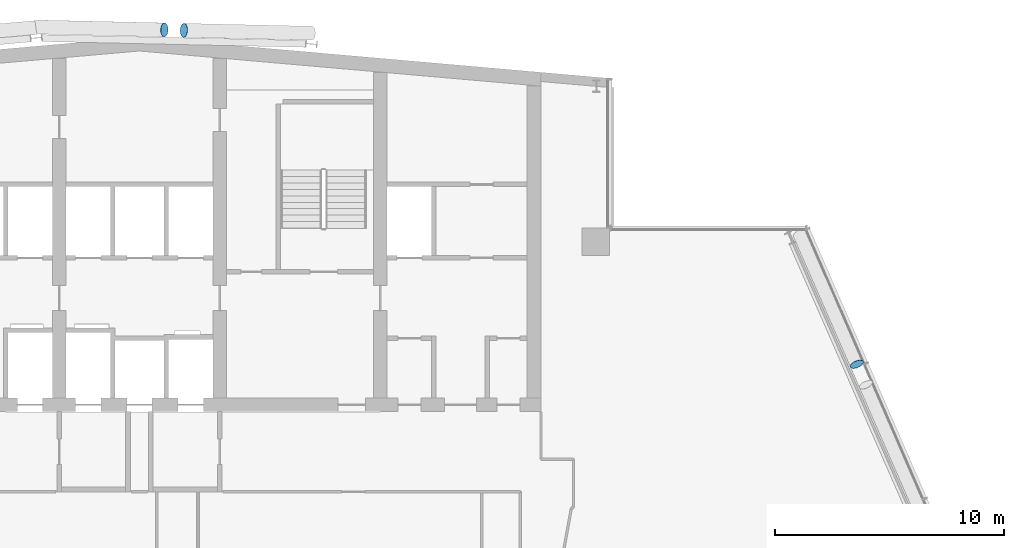
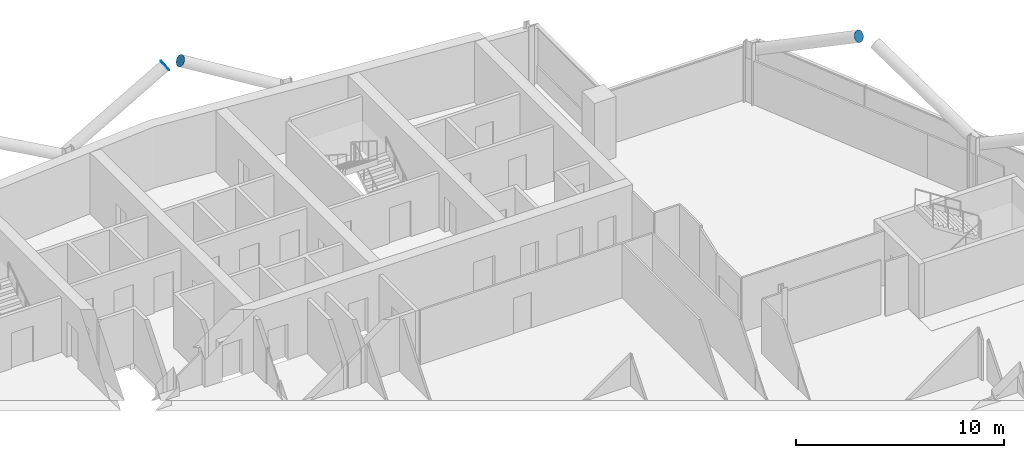
# One storey, part 22 of 25: 3 discrete accessories.
"""IFC4 building model written with IfcOpenShell, lengths in metres."""

from ifc_helpers import new_model, si_unit, direction, frame, origin, origin_2d, place, context, subcontext, project, spatial, circle, extrude, material, material_profile, profile_set, type_object, element, save


model = new_model("IFC4")

# Units and contexts
model_context = context("Model", 3, precision=1e-05, world=origin(), true_north=direction((0.0, 1.0)))
body_context = subcontext(model_context, "Body", "Model", "MODEL_VIEW")
ifc_project = project(units=[si_unit("LENGTHUNIT", "METRE"), si_unit("AREAUNIT", "SQUARE_METRE"), si_unit("VOLUMEUNIT", "CUBIC_METRE"), si_unit("PLANEANGLEUNIT", "RADIAN"), si_unit("MASSUNIT", "GRAM", prefix="KILO")], contexts=[model_context])

# Site, building, storey
site_placement = place(None, origin())
site = spatial("IfcSite", under=ifc_project, at=site_placement, CompositionType="ELEMENT")
building_placement = place(site_placement, origin())
building = spatial("IfcBuilding", under=site, at=building_placement, Name="Wharfspan Tower", CompositionType="ELEMENT")
storey_placement = place(building_placement, frame((0.0, 0.0, 232.300049)))
storey = spatial("IfcBuildingStorey", under=building, at=storey_placement, Name="L58", CompositionType="ELEMENT", Elevation=232.300049)

# Discrete accessories
ifc_material = material(Name="Steel S460NH", Category="steel")
ifc_material_profile = material_profile(ifc_material, circle(Radius=0.304932, at=origin_2d()))
ifc_profile_set = profile_set([ifc_material_profile], Name="Steel S460NH")
discrete_accessory_type = type_object("IfcDiscreteAccessoryType", Name="End plate CHS 610x25", PredefinedType="BRACKET", material=ifc_profile_set)
for number, where, z_axis, x_axis, name in (
    (1, (71.769775, 36.06958, 6.233398), (0.345075, -0.81339, 0.468316), (0.920586, 0.390551, -2e-06), "End plate CHS 610x25"),
    (2, (41.577881, 50.636475, 6.240479), (0.857236, -0.024492, 0.514341), (0.028558, 0.999591, 2e-06), "End plate CHS 610x25"),
    (3, (42.442871, 50.616699, 6.240479), (-0.857236, 0.024492, 0.514341), (-0.028558, -0.999591, 2e-06), "End plate CHS 610x25"),
):
    element("IfcDiscreteAccessory", number, at=place(storey_placement, frame(where, z_axis=z_axis, x_axis=x_axis)), inside=storey, type_object=discrete_accessory_type, Name=name, PredefinedType="BRACKET", context=body_context, shape_type="SweptSolid", body=[
        extrude(circle(Radius=0.304932, at=origin_2d()), origin(), (0.0, 0.0, 1.0), 0.01001),
    ])

save(model, "model.ifc")
